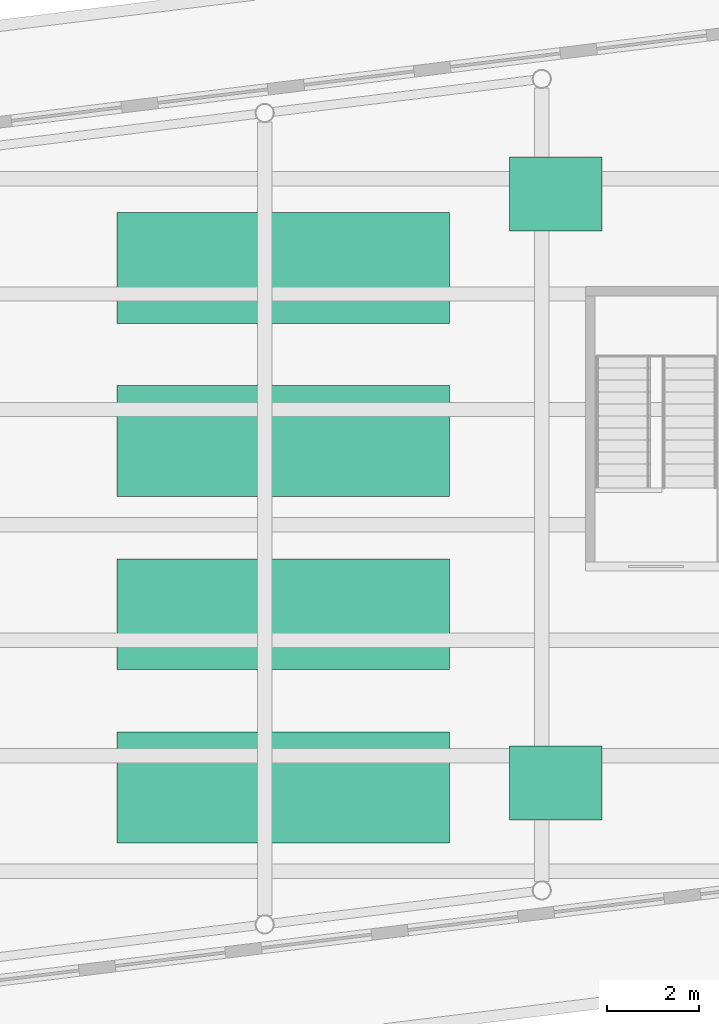
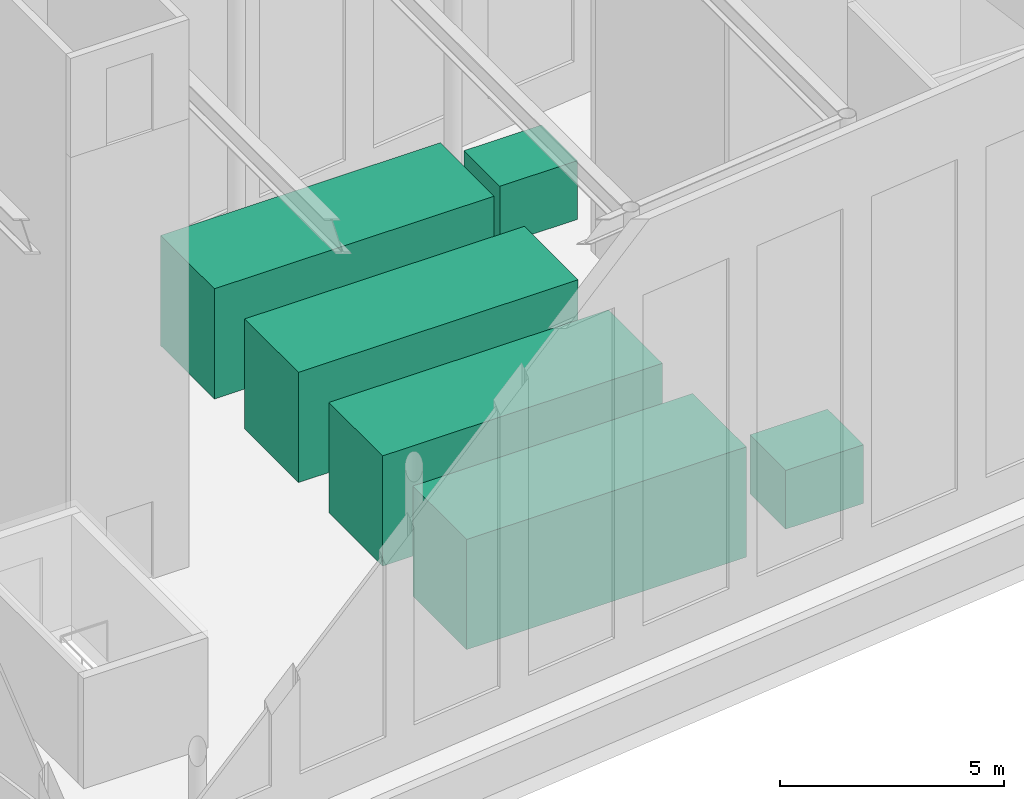
# One storey, part 7 of 7: 4 unitary equipment elements, 2 fans.
"""IFC4 building model written with IfcOpenShell, lengths in metres."""

import ifcopenshell
import ifcopenshell.guid

model = None  # the IFC model being written
_history = None  # IfcOwnerHistory: only IFC2X3 demands one
_inside = {}  # id of a spatial element -> (the spatial element, [elements in it])
_under = {}  # id of a project, library or spatial element -> (it, [spatial elements below it])
_declared = {}  # id of a project -> (the project, [libraries it declares])
_typed = {}  # id of a type object -> (the type object, [elements of that type])
_made_of = {}  # id of a material, layer set ... -> (it, [elements and type objects made of it])


def new_model(schema):
    """Start an empty IFC model of exactly this schema.

    Asked for "IFC4X3", IfcOpenShell would pick the latest addendum, in which some entities
    have other attributes; the version numbers below select the first issue.
    IFC2X3 requires an IfcOwnerHistory on every rooted entity: one is made here for all.
    """
    global model, _history
    if schema == "IFC4X3":
        model = ifcopenshell.file(schema_version=(4, 3, 0, 0))
    else:
        model = ifcopenshell.file(schema=schema)
    _inside.clear()
    _under.clear()
    _declared.clear()
    _typed.clear()
    _made_of.clear()
    _history = None
    if model.schema == "IFC2X3":
        org = make("IfcOrganization", Name="unknown")
        user = make(
            "IfcPersonAndOrganization",
            ThePerson=make("IfcPerson", FamilyName="unknown"),
            TheOrganization=org,
        )
        app = make(
            "IfcApplication",
            ApplicationDeveloper=org,
            Version="unknown",
            ApplicationFullName="unknown",
            ApplicationIdentifier="unknown",
        )
        _history = make(
            "IfcOwnerHistory",
            OwningUser=user,
            OwningApplication=app,
            ChangeAction="ADDED",
            CreationDate=0,
        )
    return model


def make(cls, **values):
    """One entity of the class cls with the attributes given. An attribute that is None is left unset."""
    return model.create_entity(
        cls, **{name: value for name, value in values.items() if value is not None}
    )


def rooted(cls, **values):
    """An entity with a GlobalId (a new one), such as an element, a storey or a relation."""
    return make(cls, GlobalId=ifcopenshell.guid.new(), OwnerHistory=_history, **values)


def si_unit(unit_type, name, prefix=None):
    """IfcSIUnit, for example si_unit("LENGTHUNIT", "METRE", prefix="MILLI")."""
    return make("IfcSIUnit", UnitType=unit_type, Prefix=prefix, Name=name)


def assignment(units):
    """IfcUnitAssignment: the units of a project."""
    return None if units is None else make("IfcUnitAssignment", Units=units)


def point(xyz):
    """IfcCartesianPoint."""
    return None if xyz is None else make("IfcCartesianPoint", Coordinates=xyz)


def direction(xyz):
    """IfcDirection."""
    return None if xyz is None else make("IfcDirection", DirectionRatios=xyz)


def frame(location, z_axis=None, x_axis=None):
    """IfcAxis2Placement3D, a coordinate frame: its origin and axes. An axis left out is left unset."""
    return make(
        "IfcAxis2Placement3D",
        Location=point(location),
        Axis=direction(z_axis),
        RefDirection=direction(x_axis),
    )


def frame_2d(location, x_axis=None):
    """IfcAxis2Placement2D, a coordinate frame in the plane: its origin and x axis."""
    return make(
        "IfcAxis2Placement2D", Location=point(location), RefDirection=direction(x_axis)
    )


def origin():
    """The frame at (0, 0, 0) with its axes left unset."""
    return frame((0.0, 0.0, 0.0))


def origin_2d():
    """The frame at (0, 0) in the plane with its x axis left unset."""
    return frame_2d((0.0, 0.0))


def place(relative_to, where):
    """IfcLocalPlacement: puts the frame where relative to a parent placement (None: the world)."""
    return make(
        "IfcLocalPlacement", PlacementRelTo=relative_to, RelativePlacement=where
    )


def context(
    kind, dimensions, precision=None, world=None, true_north=None, identifier=None
):
    """IfcGeometricRepresentationContext, for example the 3D "Model" context."""
    return make(
        "IfcGeometricRepresentationContext",
        ContextIdentifier=identifier,
        ContextType=kind,
        CoordinateSpaceDimension=dimensions,
        Precision=precision,
        WorldCoordinateSystem=world,
        TrueNorth=true_north,
    )


def subcontext(parent, identifier, kind, view, scale=None):
    """IfcGeometricRepresentationSubContext, for example "Body" below "Model"."""
    return make(
        "IfcGeometricRepresentationSubContext",
        ContextIdentifier=identifier,
        ContextType=kind,
        ParentContext=parent,
        TargetScale=scale,
        TargetView=view,
    )


def project(units=None, contexts=None):
    """IfcProject with its units and contexts."""
    return rooted(
        "IfcProject",
        Name="project",
        RepresentationContexts=contexts,
        UnitsInContext=assignment(units),
    )


def spatial(cls, under=None, at=None, **own):
    """A site, building, storey or space (cls), placed at a placement, below another one or the project."""
    s = rooted(cls, ObjectPlacement=at, **own)
    if under is not None:
        _under.setdefault(under.id(), (under, []))[1].append(s)
    return s


def profile(cls, at=None, kind="AREA", **sizes):
    """A parametric profile (cls). Its sizes go by their IFC names, for example OverallWidth=200.0."""
    return make(cls, ProfileType=kind, Position=at, **sizes)


def rectangle(**sizes):
    """IfcRectangleProfileDef."""
    return profile("IfcRectangleProfileDef", **sizes)


def extrude(swept, where, along, depth):
    """IfcExtrudedAreaSolid: the profile swept, set in the frame where, extruded along a direction by depth."""
    return make(
        "IfcExtrudedAreaSolid",
        SweptArea=swept,
        Position=where,
        ExtrudedDirection=direction(along),
        Depth=depth,
    )


def shape(context_of_items, identifier, shape_type, items):
    """IfcShapeRepresentation: the items that make up one representation, for example the "Body"."""
    return make(
        "IfcShapeRepresentation",
        ContextOfItems=context_of_items,
        RepresentationIdentifier=identifier,
        RepresentationType=shape_type,
        Items=items,
    )


def material(Name=None, Category=None):
    """IfcMaterial."""
    return make("IfcMaterial", Name=Name, Category=Category)


def made_of(thing, what):
    """Note that an element or type object is made of a material, layer set ...; save() writes the relation."""
    if what is not None:
        _made_of.setdefault(what.id(), (what, []))[1].append(thing)
    return thing


def type_object(cls, material=None, **own):
    """A type object (cls), such as IfcWallType, which elements share."""
    return made_of(rooted(cls, **own), material)


def element(
    cls,
    number,
    at=None,
    inside=None,
    cuts=None,
    type_object=None,
    material=None,
    context=None,
    identifier="Body",
    shape_type=None,
    held_by="IfcProductDefinitionShape",
    body=None,
    shapes=None,
    **own,
):
    """One element of the class cls, such as IfcWall. Its Tag is "e" and its number.

    at: its placement. inside: the storey or other place that contains it. cuts: it is an
    opening in that element (IfcRelVoidsElement). A single representation is given by context,
    identifier, shape_type and body (its items); several are given by shapes. held_by: the class
    of the entity that holds the representations. save() writes the other relations.
    """
    e = rooted(cls, Tag="e%d" % number, ObjectPlacement=at, **own)
    if body is not None:
        shapes = [shape(context, identifier, shape_type, body)]
    if shapes is not None:
        e.Representation = make(held_by, Representations=shapes)
    if inside is not None:
        _inside.setdefault(inside.id(), (inside, []))[1].append(e)
    if cuts is not None:
        rooted(
            "IfcRelVoidsElement", RelatingBuildingElement=cuts, RelatedOpeningElement=e
        )
    if type_object is not None:
        _typed.setdefault(type_object.id(), (type_object, []))[1].append(e)
    return made_of(e, material)


def aggregate(whole, parts):
    """IfcRelAggregates: a whole, such as a stair, and the parts it consists of."""
    return rooted("IfcRelAggregates", RelatingObject=whole, RelatedObjects=parts)


def save(model, path):
    """Write the relations noted so far, then the file.

    IfcRelAggregates (storeys below a building ...), IfcRelContainedInSpatialStructure (elements
    in a storey), IfcRelDefinesByType, IfcRelAssociatesMaterial and IfcRelDeclares: one each for
    every whole, place, type object, material and project.
    """
    for whole, parts in _under.values():
        aggregate(whole, parts)
    for where, things in _inside.values():
        rooted(
            "IfcRelContainedInSpatialStructure",
            RelatedElements=things,
            RelatingStructure=where,
        )
    for kind, things in _typed.values():
        rooted("IfcRelDefinesByType", RelatedObjects=things, RelatingType=kind)
    for what, things in _made_of.values():
        rooted("IfcRelAssociatesMaterial", RelatedObjects=things, RelatingMaterial=what)
    for by, libraries in _declared.values():
        rooted("IfcRelDeclares", RelatingContext=by, RelatedDefinitions=libraries)
    model.write(path)


model = new_model("IFC4")

# Units and contexts
model_context = context("Model", 3, precision=1e-05, world=origin(), true_north=direction((0.0, 1.0)))
body_context = subcontext(model_context, "Body", "Model", "MODEL_VIEW")
ifc_project = project(units=[si_unit("LENGTHUNIT", "METRE"), si_unit("AREAUNIT", "SQUARE_METRE"), si_unit("VOLUMEUNIT", "CUBIC_METRE"), si_unit("PLANEANGLEUNIT", "RADIAN"), si_unit("MASSUNIT", "GRAM", prefix="KILO")], contexts=[model_context])

# Site, building, storey
site_placement = place(None, origin())
site = spatial("IfcSite", under=ifc_project, at=site_placement, CompositionType="ELEMENT")
building_placement = place(site_placement, origin())
building = spatial("IfcBuilding", under=site, at=building_placement, Name="Torana Hotel and Residences", CompositionType="ELEMENT")
storey_placement = place(building_placement, frame((0.0, 0.0, 363.39990234375)))
storey = spatial("IfcBuildingStorey", under=building, at=storey_placement, Name="RF", CompositionType="ELEMENT", Elevation=363.39990234375)

# Unitary equipment
ifc_material_1 = material(Name="Galvanised steel casing", Category="steel")
unitary_equipment_type = type_object("IfcUnitaryEquipmentType", Name="AHU1 AIR HANDLING UNIT 7200x2400", PredefinedType="AIRHANDLER", material=ifc_material_1)
for number, where, z_axis, x_axis, name in (
    (1, (0.40087890625, -13.185302734375, 0.0), (0.0, 0.0, 1.0), (1.0, 0.0, 0.0), "Air handling unit AHU1.1"),
    (2, (0.40087890625, -9.435302734375, 0.0), (0.0, 0.0, 1.0), (1.0, 0.0, 0.0), "Air handling unit AHU1.2"),
    (3, (0.40087890625, -5.685302734375, 0.0), (0.0, 0.0, 1.0), (1.0, 0.0, 0.0), "Air handling unit AHU1.3"),
    (4, (0.40087890625, -1.935302734375, 0.0), (0.0, 0.0, 1.0), (1.0, 0.0, 0.0), "Air handling unit AHU1.4"),
):
    element("IfcUnitaryEquipment", number, at=place(storey_placement, frame(where, z_axis=z_axis, x_axis=x_axis)), inside=storey, type_object=unitary_equipment_type, Name=name, PredefinedType="AIRHANDLER", context=body_context, shape_type="SweptSolid", body=[
        extrude(rectangle(XDim=7.199951171875, YDim=2.39990234375, at=origin_2d()), origin(), (0.0, 0.0, 1.0), 3.0),
    ])

# Fans
ifc_material_2 = material(Name="Galvanised steel casing", Category="steel")
fan_type = type_object("IfcFanType", Name="PF1 STAIR PRESSURISATION FAN SET 2000x1600", PredefinedType="VANEAXIAL", material=ifc_material_2)
for number, where, z_axis, x_axis, name in (
    (5, (6.301025390625, -13.085205078125, 0.0), (0.0, 0.0, 1.0), (1.0, 0.0, 0.0), "Stair pressurisation fan set PF1.1"),
    (6, (6.301025390625, -0.335205078125, 0.0), (0.0, 0.0, 1.0), (1.0, 0.0, 0.0), "Stair pressurisation fan set PF1.2"),
):
    element("IfcFan", number, at=place(storey_placement, frame(where, z_axis=z_axis, x_axis=x_axis)), inside=storey, type_object=fan_type, Name=name, PredefinedType="VANEAXIAL", context=body_context, shape_type="SweptSolid", body=[
        extrude(rectangle(XDim=2.0, YDim=1.60009765625, at=origin_2d()), origin(), (0.0, 0.0, 1.0), 1.60009765625),
    ])

save(model, "model.ifc")
